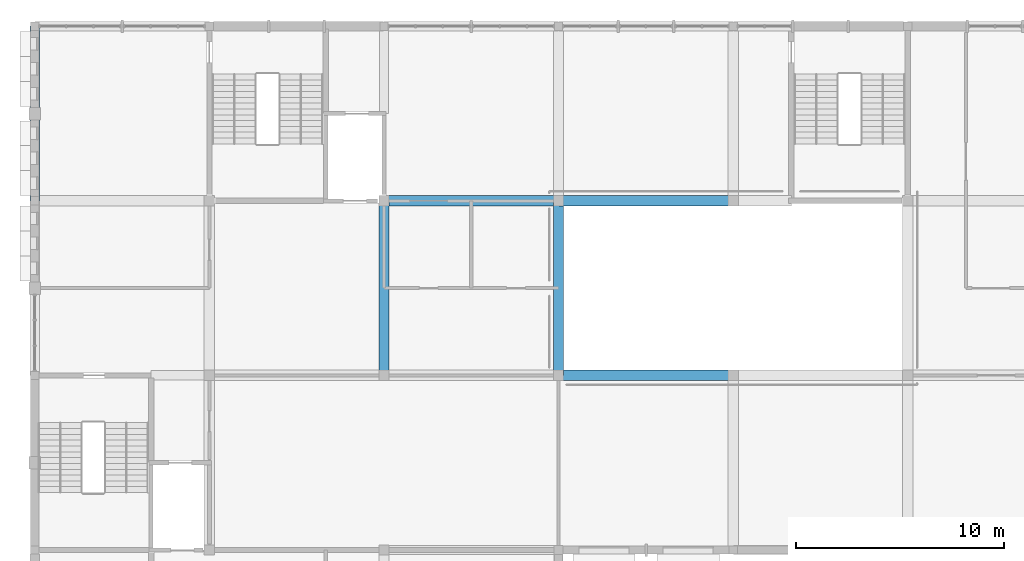
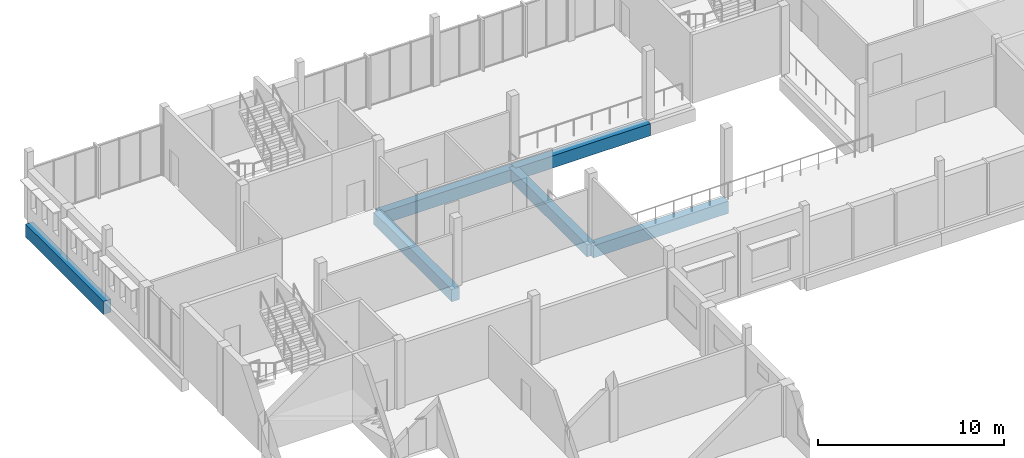
# One storey, part 9 of 38: 6 beams.
"""IFC4 building model written with IfcOpenShell, lengths in metres."""

import ifcopenshell
import ifcopenshell.guid

model = None  # the IFC model being written
_history = None  # IfcOwnerHistory: only IFC2X3 demands one
_inside = {}  # id of a spatial element -> (the spatial element, [elements in it])
_under = {}  # id of a project, library or spatial element -> (it, [spatial elements below it])
_declared = {}  # id of a project -> (the project, [libraries it declares])
_typed = {}  # id of a type object -> (the type object, [elements of that type])
_made_of = {}  # id of a material, layer set ... -> (it, [elements and type objects made of it])


def new_model(schema):
    """Start an empty IFC model of exactly this schema.

    Asked for "IFC4X3", IfcOpenShell would pick the latest addendum, in which some entities
    have other attributes; the version numbers below select the first issue.
    IFC2X3 requires an IfcOwnerHistory on every rooted entity: one is made here for all.
    """
    global model, _history
    if schema == "IFC4X3":
        model = ifcopenshell.file(schema_version=(4, 3, 0, 0))
    else:
        model = ifcopenshell.file(schema=schema)
    _inside.clear()
    _under.clear()
    _declared.clear()
    _typed.clear()
    _made_of.clear()
    _history = None
    if model.schema == "IFC2X3":
        org = make("IfcOrganization", Name="unknown")
        user = make(
            "IfcPersonAndOrganization",
            ThePerson=make("IfcPerson", FamilyName="unknown"),
            TheOrganization=org,
        )
        app = make(
            "IfcApplication",
            ApplicationDeveloper=org,
            Version="unknown",
            ApplicationFullName="unknown",
            ApplicationIdentifier="unknown",
        )
        _history = make(
            "IfcOwnerHistory",
            OwningUser=user,
            OwningApplication=app,
            ChangeAction="ADDED",
            CreationDate=0,
        )
    return model


def make(cls, **values):
    """One entity of the class cls with the attributes given. An attribute that is None is left unset."""
    return model.create_entity(
        cls, **{name: value for name, value in values.items() if value is not None}
    )


def rooted(cls, **values):
    """An entity with a GlobalId (a new one), such as an element, a storey or a relation."""
    return make(cls, GlobalId=ifcopenshell.guid.new(), OwnerHistory=_history, **values)


def si_unit(unit_type, name, prefix=None):
    """IfcSIUnit, for example si_unit("LENGTHUNIT", "METRE", prefix="MILLI")."""
    return make("IfcSIUnit", UnitType=unit_type, Prefix=prefix, Name=name)


def assignment(units):
    """IfcUnitAssignment: the units of a project."""
    return None if units is None else make("IfcUnitAssignment", Units=units)


def point(xyz):
    """IfcCartesianPoint."""
    return None if xyz is None else make("IfcCartesianPoint", Coordinates=xyz)


def direction(xyz):
    """IfcDirection."""
    return None if xyz is None else make("IfcDirection", DirectionRatios=xyz)


def frame(location, z_axis=None, x_axis=None):
    """IfcAxis2Placement3D, a coordinate frame: its origin and axes. An axis left out is left unset."""
    return make(
        "IfcAxis2Placement3D",
        Location=point(location),
        Axis=direction(z_axis),
        RefDirection=direction(x_axis),
    )


def frame_2d(location, x_axis=None):
    """IfcAxis2Placement2D, a coordinate frame in the plane: its origin and x axis."""
    return make(
        "IfcAxis2Placement2D", Location=point(location), RefDirection=direction(x_axis)
    )


def origin():
    """The frame at (0, 0, 0) with its axes left unset."""
    return frame((0.0, 0.0, 0.0))


def origin_2d():
    """The frame at (0, 0) in the plane with its x axis left unset."""
    return frame_2d((0.0, 0.0))


def place(relative_to, where):
    """IfcLocalPlacement: puts the frame where relative to a parent placement (None: the world)."""
    return make(
        "IfcLocalPlacement", PlacementRelTo=relative_to, RelativePlacement=where
    )


def context(
    kind, dimensions, precision=None, world=None, true_north=None, identifier=None
):
    """IfcGeometricRepresentationContext, for example the 3D "Model" context."""
    return make(
        "IfcGeometricRepresentationContext",
        ContextIdentifier=identifier,
        ContextType=kind,
        CoordinateSpaceDimension=dimensions,
        Precision=precision,
        WorldCoordinateSystem=world,
        TrueNorth=true_north,
    )


def subcontext(parent, identifier, kind, view, scale=None):
    """IfcGeometricRepresentationSubContext, for example "Body" below "Model"."""
    return make(
        "IfcGeometricRepresentationSubContext",
        ContextIdentifier=identifier,
        ContextType=kind,
        ParentContext=parent,
        TargetScale=scale,
        TargetView=view,
    )


def project(units=None, contexts=None):
    """IfcProject with its units and contexts."""
    return rooted(
        "IfcProject",
        Name="project",
        RepresentationContexts=contexts,
        UnitsInContext=assignment(units),
    )


def spatial(cls, under=None, at=None, **own):
    """A site, building, storey or space (cls), placed at a placement, below another one or the project."""
    s = rooted(cls, ObjectPlacement=at, **own)
    if under is not None:
        _under.setdefault(under.id(), (under, []))[1].append(s)
    return s


def profile(cls, at=None, kind="AREA", **sizes):
    """A parametric profile (cls). Its sizes go by their IFC names, for example OverallWidth=200.0."""
    return make(cls, ProfileType=kind, Position=at, **sizes)


def rectangle(**sizes):
    """IfcRectangleProfileDef."""
    return profile("IfcRectangleProfileDef", **sizes)


def extrude(swept, where, along, depth):
    """IfcExtrudedAreaSolid: the profile swept, set in the frame where, extruded along a direction by depth."""
    return make(
        "IfcExtrudedAreaSolid",
        SweptArea=swept,
        Position=where,
        ExtrudedDirection=direction(along),
        Depth=depth,
    )


def shape(context_of_items, identifier, shape_type, items):
    """IfcShapeRepresentation: the items that make up one representation, for example the "Body"."""
    return make(
        "IfcShapeRepresentation",
        ContextOfItems=context_of_items,
        RepresentationIdentifier=identifier,
        RepresentationType=shape_type,
        Items=items,
    )


def material(Name=None, Category=None):
    """IfcMaterial."""
    return make("IfcMaterial", Name=Name, Category=Category)


def material_profile(
    of_material, cross_section, Name=None, Category=None, Priority=None
):
    """IfcMaterialProfile: a cross section and its material."""
    return make(
        "IfcMaterialProfile",
        Name=Name,
        Material=of_material,
        Profile=cross_section,
        Priority=Priority,
        Category=Category,
    )


def profile_set(profiles, Name=None, composite=None):
    """IfcMaterialProfileSet."""
    return make(
        "IfcMaterialProfileSet",
        Name=Name,
        MaterialProfiles=profiles,
        CompositeProfile=composite,
    )


def made_of(thing, what):
    """Note that an element or type object is made of a material, layer set ...; save() writes the relation."""
    if what is not None:
        _made_of.setdefault(what.id(), (what, []))[1].append(thing)
    return thing


def type_object(cls, material=None, **own):
    """A type object (cls), such as IfcWallType, which elements share."""
    return made_of(rooted(cls, **own), material)


def element(
    cls,
    number,
    at=None,
    inside=None,
    cuts=None,
    type_object=None,
    material=None,
    context=None,
    identifier="Body",
    shape_type=None,
    held_by="IfcProductDefinitionShape",
    body=None,
    shapes=None,
    **own,
):
    """One element of the class cls, such as IfcWall. Its Tag is "e" and its number.

    at: its placement. inside: the storey or other place that contains it. cuts: it is an
    opening in that element (IfcRelVoidsElement). A single representation is given by context,
    identifier, shape_type and body (its items); several are given by shapes. held_by: the class
    of the entity that holds the representations. save() writes the other relations.
    """
    e = rooted(cls, Tag="e%d" % number, ObjectPlacement=at, **own)
    if body is not None:
        shapes = [shape(context, identifier, shape_type, body)]
    if shapes is not None:
        e.Representation = make(held_by, Representations=shapes)
    if inside is not None:
        _inside.setdefault(inside.id(), (inside, []))[1].append(e)
    if cuts is not None:
        rooted(
            "IfcRelVoidsElement", RelatingBuildingElement=cuts, RelatedOpeningElement=e
        )
    if type_object is not None:
        _typed.setdefault(type_object.id(), (type_object, []))[1].append(e)
    return made_of(e, material)


def aggregate(whole, parts):
    """IfcRelAggregates: a whole, such as a stair, and the parts it consists of."""
    return rooted("IfcRelAggregates", RelatingObject=whole, RelatedObjects=parts)


def save(model, path):
    """Write the relations noted so far, then the file.

    IfcRelAggregates (storeys below a building ...), IfcRelContainedInSpatialStructure (elements
    in a storey), IfcRelDefinesByType, IfcRelAssociatesMaterial and IfcRelDeclares: one each for
    every whole, place, type object, material and project.
    """
    for whole, parts in _under.values():
        aggregate(whole, parts)
    for where, things in _inside.values():
        rooted(
            "IfcRelContainedInSpatialStructure",
            RelatedElements=things,
            RelatingStructure=where,
        )
    for kind, things in _typed.values():
        rooted("IfcRelDefinesByType", RelatedObjects=things, RelatingType=kind)
    for what, things in _made_of.values():
        rooted("IfcRelAssociatesMaterial", RelatedObjects=things, RelatingMaterial=what)
    for by, libraries in _declared.values():
        rooted("IfcRelDeclares", RelatingContext=by, RelatedDefinitions=libraries)
    model.write(path)


model = new_model("IFC4")

# Units and contexts
model_context = context("Model", 3, precision=1e-05, world=origin(), true_north=direction((0.0, 1.0)))
body_context = subcontext(model_context, "Body", "Model", "MODEL_VIEW")
ifc_project = project(units=[si_unit("LENGTHUNIT", "METRE"), si_unit("AREAUNIT", "SQUARE_METRE"), si_unit("VOLUMEUNIT", "CUBIC_METRE"), si_unit("PLANEANGLEUNIT", "RADIAN"), si_unit("MASSUNIT", "GRAM", prefix="KILO")], contexts=[model_context])

# Site, building, storey
site_placement = place(None, origin())
site = spatial("IfcSite", under=ifc_project, at=site_placement, CompositionType="ELEMENT")
building_placement = place(site_placement, origin())
building = spatial("IfcBuilding", under=site, at=building_placement, Name="Fescue Hill Polytechnic", CompositionType="ELEMENT")
storey_placement = place(building_placement, frame((0.0, 0.0, 18.0)))
storey = spatial("IfcBuildingStorey", under=building, at=storey_placement, Name="L04", CompositionType="ELEMENT", Elevation=18.0)

# Beams
ifc_material = material(Name="Concrete 35 MPa", Category="concrete")
ifc_material_profile_1 = material_profile(ifc_material, rectangle(XDim=0.449951171875, YDim=0.85009765625, at=origin_2d()), Name="RC 450x850")
ifc_profile_set_1 = profile_set([ifc_material_profile_1], Name="Concrete 35 MPa")
beam_type_1 = type_object("IfcBeamType", Name="Beam RC 450x850", PredefinedType="BEAM", material=ifc_profile_set_1)
beam_1_placement = place(storey_placement, frame((0.0, 126.0, -0.72509765625), z_axis=(0.0, 1.0, 0.0), x_axis=(-1.0, 0.0, 0.0)))
element("IfcBeam", 1, at=beam_1_placement, inside=storey, type_object=beam_type_1, Name="BM-L04-0007", PredefinedType="BEAM", context=body_context, shape_type="SweptSolid", body=[
    extrude(rectangle(XDim=0.449951171875, YDim=0.85009765625, at=origin_2d()), origin(), (0.0, 0.0, 1.0), 8.39990234375),
])
ifc_material_profile_2 = material_profile(ifc_material, rectangle(XDim=0.5, YDim=0.800048828125, at=origin_2d()), Name="RC 500x800")
ifc_profile_set_2 = profile_set([ifc_material_profile_2], Name="Concrete 35 MPa")
beam_type_2 = type_object("IfcBeamType", Name="Beam RC 500x800", PredefinedType="BEAM", material=ifc_profile_set_2)
beam_2_placement = place(storey_placement, frame((16.800048828125, 117.60009765625, -0.699951171875), z_axis=(0.0, 1.0, 0.0), x_axis=(-1.0, 0.0, 0.0)))
element("IfcBeam", 2, at=beam_2_placement, inside=storey, type_object=beam_type_2, Name="BM-L04-0040", PredefinedType="BEAM", context=body_context, shape_type="SweptSolid", body=[
    extrude(rectangle(XDim=0.5, YDim=0.800048828125, at=origin_2d()), origin(), (0.0, 0.0, 1.0), 8.39990234375),
])
beam_3_placement = place(storey_placement, frame((16.81005859375, 126.0, -0.699951171875), z_axis=(1.0, 0.0, 0.0), x_axis=(0.0, 1.0, 0.0)))
element("IfcBeam", 3, at=beam_3_placement, inside=storey, type_object=beam_type_2, Name="BM-L04-0049", PredefinedType="BEAM", context=body_context, shape_type="SweptSolid", body=[
    extrude(rectangle(XDim=0.5, YDim=0.800048828125, at=origin_2d()), origin(), (0.0, 0.0, 1.0), 8.3798828125),
])
beam_4_placement = place(storey_placement, frame((25.199951171875, 117.60009765625, -0.699951171875), z_axis=(0.0, 1.0, 0.0), x_axis=(-1.0, 0.0, 0.0)))
element("IfcBeam", 4, at=beam_4_placement, inside=storey, type_object=beam_type_2, Name="BM-L04-0056", PredefinedType="BEAM", context=body_context, shape_type="SweptSolid", body=[
    extrude(rectangle(XDim=0.5, YDim=0.800048828125, at=origin_2d()), origin(), (0.0, 0.0, 1.0), 8.39990234375),
])
beam_5_placement = place(storey_placement, frame((25.199951171875, 117.60009765625, -0.699951171875), z_axis=(1.0, 0.0, 0.0), x_axis=(0.0, 1.0, 0.0)))
element("IfcBeam", 5, at=beam_5_placement, inside=storey, type_object=beam_type_2, Name="BM-L04-0057", PredefinedType="BEAM", context=body_context, shape_type="SweptSolid", body=[
    extrude(rectangle(XDim=0.5, YDim=0.800048828125, at=origin_2d()), origin(), (0.0, 0.0, 1.0), 8.39013671875),
])
beam_6_placement = place(storey_placement, frame((25.2099609375, 126.0, -0.699951171875), z_axis=(1.0, 0.0, 0.0), x_axis=(0.0, 1.0, 0.0)))
element("IfcBeam", 6, at=beam_6_placement, inside=storey, type_object=beam_type_2, Name="BM-L04-0059", PredefinedType="BEAM", context=body_context, shape_type="SweptSolid", body=[
    extrude(rectangle(XDim=0.5, YDim=0.800048828125, at=origin_2d()), origin(), (0.0, 0.0, 1.0), 8.380126953125),
])

save(model, "model.ifc")
